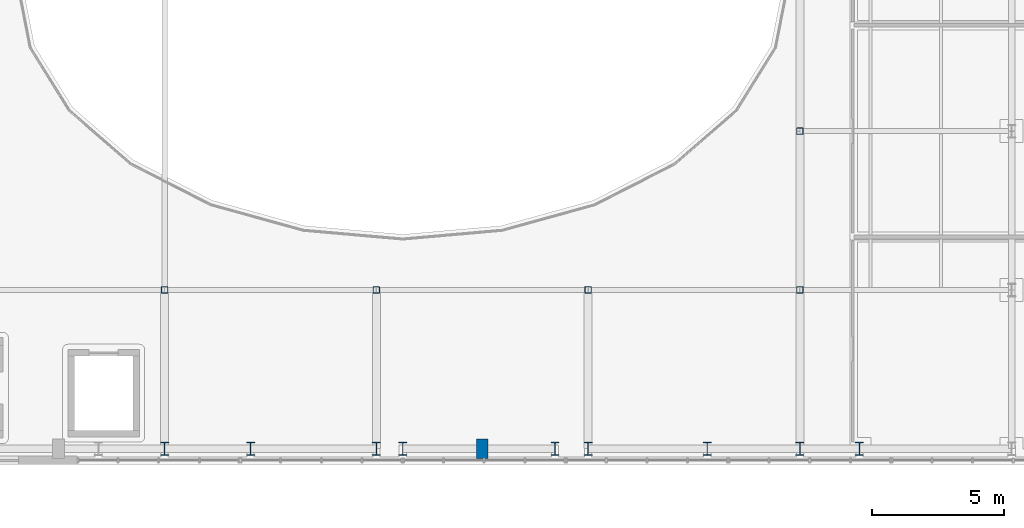
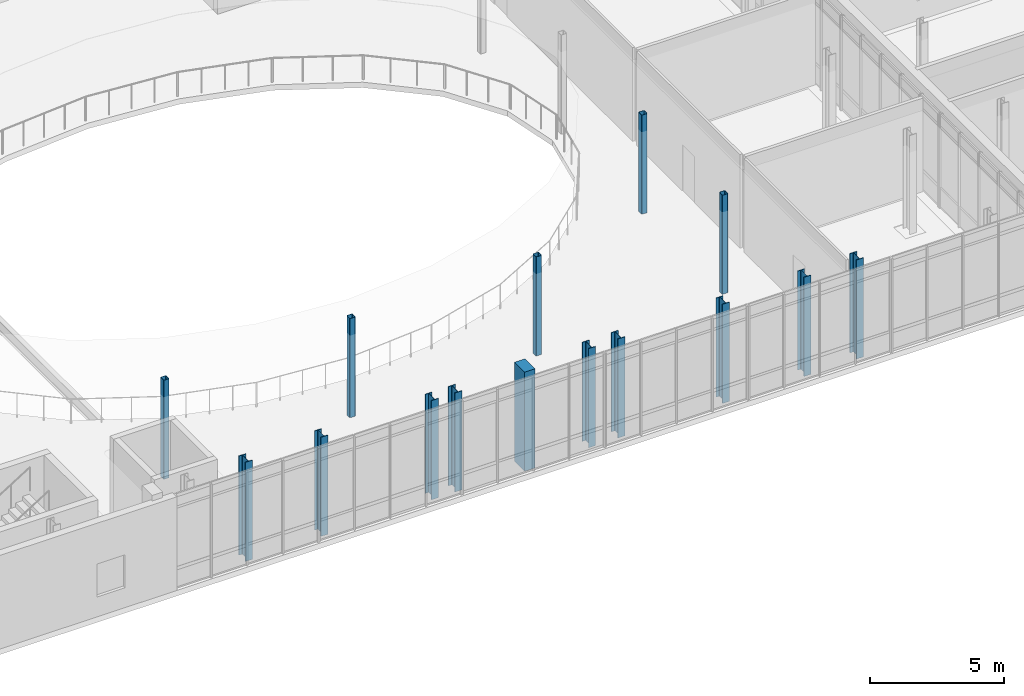
# One storey, part 6 of 100: 15 columns.
"""IFC4 building model written with IfcOpenShell, lengths in metres."""

from ifc_helpers import new_model, si_unit, direction, frame, origin, origin_2d, place, context, subcontext, project, spatial, rectangle, hollow_rectangle, i_section, extrude, material, material_profile, profile_set, type_object, element, save


model = new_model("IFC4")

# Units and contexts
model_context = context("Model", 3, precision=1e-05, world=origin(), true_north=direction((0.0, 1.0)))
body_context = subcontext(model_context, "Body", "Model", "MODEL_VIEW")
ifc_project = project(units=[si_unit("LENGTHUNIT", "METRE"), si_unit("AREAUNIT", "SQUARE_METRE"), si_unit("VOLUMEUNIT", "CUBIC_METRE"), si_unit("PLANEANGLEUNIT", "RADIAN"), si_unit("MASSUNIT", "GRAM", prefix="KILO")], contexts=[model_context])

# Site, building, storey
site_placement = place(None, origin())
site = spatial("IfcSite", under=ifc_project, at=site_placement, CompositionType="ELEMENT")
building_placement = place(site_placement, origin())
building = spatial("IfcBuilding", under=site, at=building_placement, Name="Cymarion Research Institute", CompositionType="ELEMENT")
storey_placement = place(building_placement, frame((0.0, 0.0, 9.300048828125)))
storey = spatial("IfcBuildingStorey", under=building, at=storey_placement, Name="L02", CompositionType="ELEMENT", Elevation=9.300048828125)

# Columns
ifc_material_1 = material(Name="Concrete C40/50", Category="concrete")
ifc_material_profile_1 = material_profile(ifc_material_1, rectangle(XDim=0.449951171875, YDim=0.75, at=origin_2d()), Name="RC 450x750")
ifc_profile_set_1 = profile_set([ifc_material_profile_1], Name="Concrete C40/50")
column_type_1 = type_object("IfcColumnType", Name="CONCRETE PILASTER PL03 RC 450x750", PredefinedType="PILASTER", material=ifc_profile_set_1)
column_placement = place(storey_placement, frame((82.60009765625, 5.5, 0.0), z_axis=(0.0, 0.0, 1.0), x_axis=(1.0, 0.0, 0.0)))
element("IfcColumn", 1, at=column_placement, inside=storey, type_object=column_type_1, Name="L02 V2 column PL03 #795", PredefinedType="PILASTER", context=body_context, shape_type="SweptSolid", body=[
    extrude(rectangle(XDim=0.449951171875, YDim=0.75, at=origin_2d()), origin(), (0.0, 0.0, 1.0), 4.5),
])
ifc_material_2 = material(Name="Steel S355", Category="steel")
ifc_material_profile_2 = material_profile(ifc_material_2, i_section(OverallWidth=0.300048828125, OverallDepth=0.5, WebThickness=0.014404296875, FlangeThickness=0.028076171875, FilletRadius=0.027099609375, at=origin_2d()), Name="HEB 500")
ifc_profile_set_2 = profile_set([ifc_material_profile_2], Name="Steel S355")
column_type_2 = type_object("IfcColumnType", Name="STRUCTURAL COLUMN C04 HEB 500", PredefinedType="COLUMN", material=ifc_profile_set_2)
for number, where, z_axis, x_axis, name in (
    (2, (70.60009765625, 5.5, 0.0), (0.0, 0.0, 1.0), (1.0, 0.0, 0.0), "L02 V2 column C04 #784"),
    (3, (73.85009765625, 5.5, 0.0), (0.0, 0.0, 1.0), (1.0, 0.0, 0.0), "L02 V2 column C04 #788"),
    (4, (78.60009765625, 5.5, 0.0), (0.0, 0.0, 1.0), (1.0, 0.0, 0.0), "L02 V2 column C04 #790"),
    (5, (79.60009765625, 5.5, 0.0), (0.0, 0.0, 1.0), (1.0, 0.0, 0.0), "L02 V2 column C04 #793"),
    (6, (85.35009765625, 5.5, 0.0), (0.0, 0.0, 1.0), (1.0, 0.0, 0.0), "L02 V2 column C04 #796"),
    (7, (86.60009765625, 5.5, 0.0), (0.0, 0.0, 1.0), (1.0, 0.0, 0.0), "L02 V2 column C04 #798"),
    (8, (91.10009765625, 5.5, 0.0), (0.0, 0.0, 1.0), (1.0, 0.0, 0.0), "L02 V2 column C04 #801"),
    (9, (94.60009765625, 5.5, 0.0), (0.0, 0.0, 1.0), (1.0, 0.0, 0.0), "L02 V2 column C04 #803"),
    (10, (96.85009765625, 5.5, 0.0), (0.0, 0.0, 1.0), (1.0, 0.0, 0.0), "L02 V2 column C04 #809"),
):
    element("IfcColumn", number, at=place(storey_placement, frame(where, z_axis=z_axis, x_axis=x_axis)), inside=storey, type_object=column_type_2, Name=name, PredefinedType="COLUMN", context=body_context, shape_type="SweptSolid", body=[
        extrude(i_section(OverallWidth=0.300048828125, OverallDepth=0.5, WebThickness=0.014404296875, FlangeThickness=0.028076171875, FilletRadius=0.027099609375, at=origin_2d()), origin(), (0.0, 0.0, 1.0), 4.5),
    ])
ifc_material_profile_3 = material_profile(ifc_material_2, hollow_rectangle(XDim=0.25, YDim=0.25, WallThickness=0.012451171875, InnerFilletRadius=0.018798828125, OuterFilletRadius=0.03125, at=origin_2d()), Name="SHS 250x250x12.5")
ifc_profile_set_3 = profile_set([ifc_material_profile_3], Name="Steel S355")
column_type_3 = type_object("IfcColumnType", Name="STRUCTURAL COLUMN C15 SHS 250x250x12.5", PredefinedType="COLUMN", material=ifc_profile_set_3)
for number, where, z_axis, x_axis, name in (
    (11, (70.60009765625, 11.5, 0.0), (0.0, 0.0, 1.0), (1.0, 0.0, 0.0), "L02 V2 column C15 #785"),
    (12, (78.60009765625, 11.5, 0.0), (0.0, 0.0, 1.0), (1.0, 0.0, 0.0), "L02 V2 column C15 #791"),
    (13, (86.60009765625, 11.5, 0.0), (0.0, 0.0, 1.0), (1.0, 0.0, 0.0), "L02 V2 column C15 #799"),
    (14, (94.60009765625, 11.5, 0.0), (0.0, 0.0, 1.0), (1.0, 0.0, 0.0), "L02 V2 column C15 #804"),
    (15, (94.60009765625, 17.5, 0.0), (0.0, 0.0, 1.0), (1.0, 0.0, 0.0), "L02 V2 column C15 #805"),
):
    element("IfcColumn", number, at=place(storey_placement, frame(where, z_axis=z_axis, x_axis=x_axis)), inside=storey, type_object=column_type_3, Name=name, PredefinedType="COLUMN", context=body_context, shape_type="SweptSolid", body=[
        extrude(hollow_rectangle(XDim=0.25, YDim=0.25, WallThickness=0.012451171875, InnerFilletRadius=0.018798828125, OuterFilletRadius=0.03125, at=origin_2d()), origin(), (0.0, 0.0, 1.0), 4.5),
    ])

save(model, "model.ifc")
